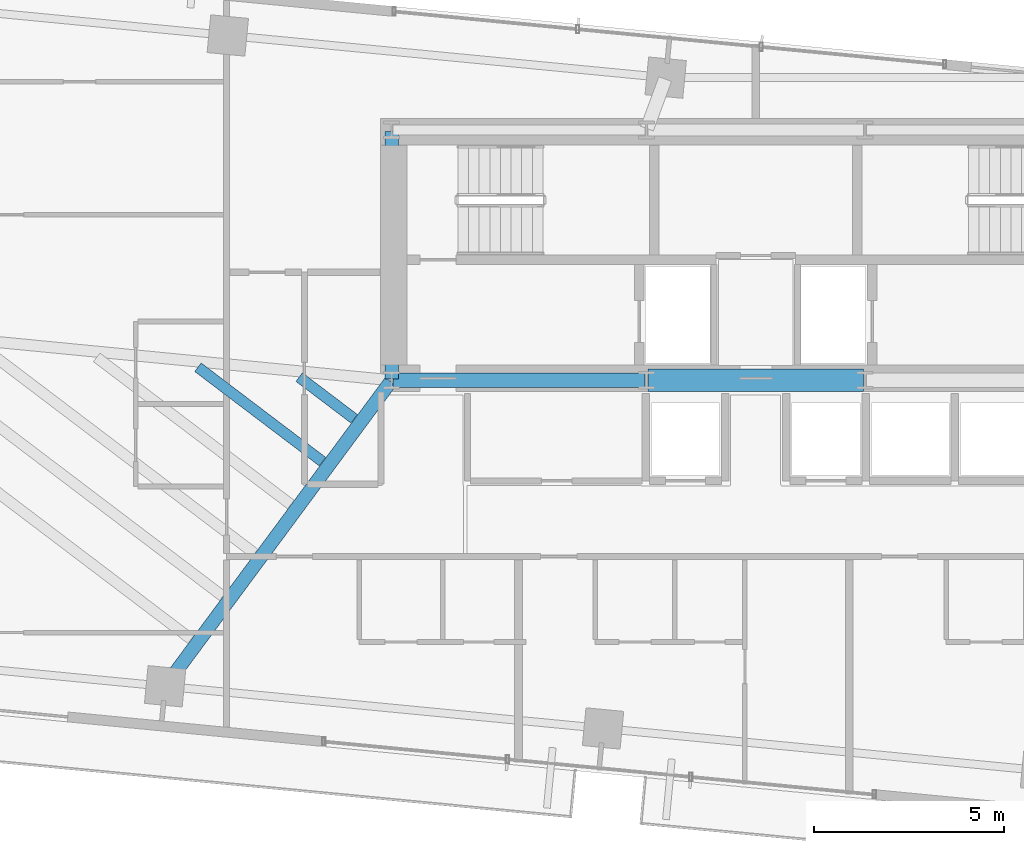
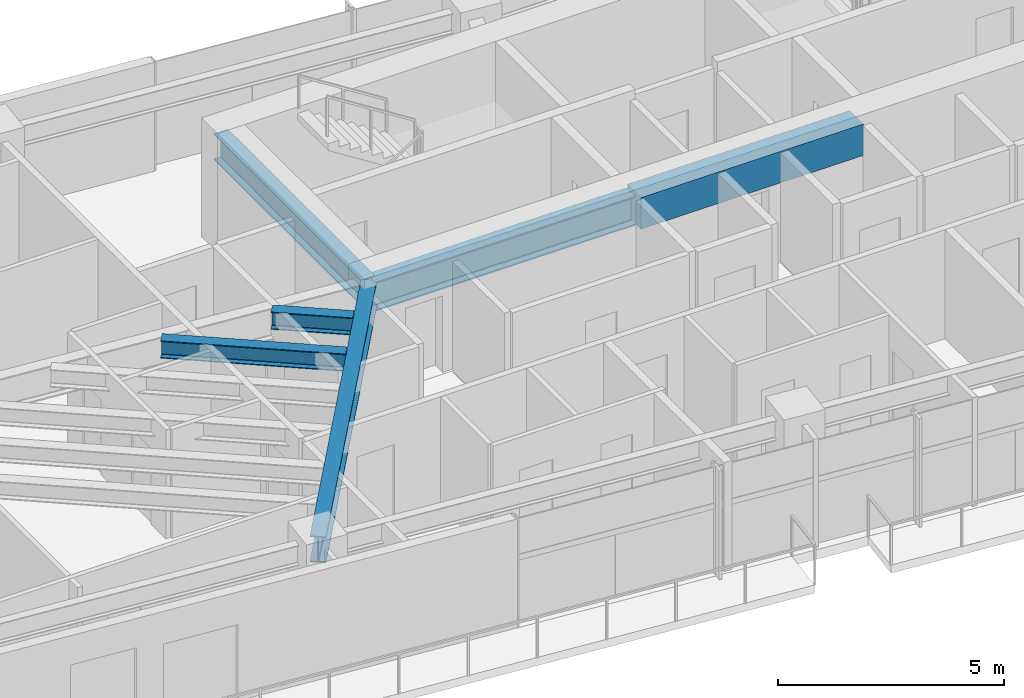
# One storey, part 5 of 19: 6 beams.
"""IFC4 building model written with IfcOpenShell, lengths in metres."""

from ifc_helpers import new_model, si_unit, direction, frame, origin, origin_2d, place, context, subcontext, project, spatial, rectangle, i_section, extrude, source, transform, mapped, material, material_profile, profile_set, type_object, type_shapes, element, save


model = new_model("IFC4")

# Units and contexts
model_context = context("Model", 3, precision=1e-05, world=origin(), true_north=direction((0.0, 1.0)))
body_context = subcontext(model_context, "Body", "Model", "MODEL_VIEW")
ifc_project = project(units=[si_unit("LENGTHUNIT", "METRE"), si_unit("AREAUNIT", "SQUARE_METRE"), si_unit("VOLUMEUNIT", "CUBIC_METRE"), si_unit("PLANEANGLEUNIT", "RADIAN"), si_unit("MASSUNIT", "GRAM", prefix="KILO")], contexts=[model_context])

# Site, building, storey
site_placement = place(None, origin())
site = spatial("IfcSite", under=ifc_project, at=site_placement, CompositionType="ELEMENT")
building_placement = place(site_placement, origin())
building = spatial("IfcBuilding", under=site, at=building_placement, Name="Astriad Promenade Condominiums", CompositionType="ELEMENT")
storey_placement = place(building_placement, frame((0.0, 0.0, 147.0)))
storey = spatial("IfcBuildingStorey", under=building, at=storey_placement, Name="L42", CompositionType="ELEMENT", Elevation=147.0)

# Beams
ifc_material_1 = material(Name="Steel ASTM A992 Grade 50", Category="steel")
ifc_material_profile_1 = material_profile(ifc_material_1, i_section(OverallWidth=0.3837890625, OverallDepth=0.785888671875, WebThickness=0.019775390625, FlangeThickness=0.033447265625, FilletRadius=0.021484375, at=origin_2d()), Name="W30X211")
ifc_profile_set_1 = profile_set([ifc_material_profile_1], Name="Steel ASTM A992 Grade 50")
beam_type_1 = type_object("IfcBeamType", Name="STEEL FLOOR GIRDER W30X211", PredefinedType="BEAM", material=ifc_profile_set_1)
shared_shape_1 = source(origin(), body_context, "Body", "SweptSolid", [
    extrude(i_section(OverallWidth=0.3837890625, OverallDepth=0.785888671875, WebThickness=0.019775390625, FlangeThickness=0.033447265625, FilletRadius=0.021484375, at=origin_2d()), origin(), (0.0, 0.0, 1.0), 6.64013671875),
])
type_shapes(beam_type_1, [shared_shape_1])
beam_1_placement = place(storey_placement, frame((26.43994140625, 17.39990234375, 2.547119140625), z_axis=(1.0, 0.0, 0.0), x_axis=(0.0, 1.0, 0.0)))
element("IfcBeam", 1, at=beam_1_placement, inside=storey, type_object=beam_type_1, Name="Core Ring Beam CG-S1-L42", PredefinedType="BEAM", context=body_context, shape_type="MappedRepresentation", body=[
    mapped(shared_shape_1, transform((0.0, 0.0, 0.0), scale=1.0)),
])
ifc_material_profile_2 = material_profile(ifc_material_1, i_section(OverallWidth=0.35791015625, OverallDepth=0.706298828125, WebThickness=0.018310546875, FlangeThickness=0.0302734375, FilletRadius=0.020263671875, at=origin_2d()), Name="W27X178")
ifc_profile_set_2 = profile_set([ifc_material_profile_2], Name="Steel ASTM A992 Grade 50")
beam_type_2 = type_object("IfcBeamType", Name="STEEL FLOOR GIRDER W27X178", PredefinedType="BEAM", material=ifc_profile_set_2)
shared_shape_2 = source(origin(), body_context, "Body", "SweptSolid", [
    extrude(i_section(OverallWidth=0.35791015625, OverallDepth=0.706298828125, WebThickness=0.018310546875, FlangeThickness=0.0302734375, FilletRadius=0.020263671875, at=origin_2d()), origin(), (0.0, 0.0, 1.0), 6.52001953125),
])
beam_2_placement = place(storey_placement, frame((26.39990234375, 17.43994140625, 2.5869140625), z_axis=(0.0, 1.0, 0.0), x_axis=(-1.0, 0.0, 0.0)))
element("IfcBeam", 2, at=beam_2_placement, inside=storey, type_object=beam_type_2, Name="Core Ring Beam CG-W1-L42", PredefinedType="BEAM", context=body_context, shape_type="MappedRepresentation", body=[
    mapped(shared_shape_2, transform((0.0, 0.0, 0.0), scale=1.0)),
])
shared_shape_3 = source(origin(), body_context, "Body", "SweptSolid", [
    extrude(i_section(OverallWidth=0.35791015625, OverallDepth=0.706298828125, WebThickness=0.018310546875, FlangeThickness=0.0302734375, FilletRadius=0.020263671875, at=origin_2d()), origin(), (0.0, 0.0, 1.0), 9.958984375),
])
type_shapes(beam_type_2, [shared_shape_2, shared_shape_3])
beam_3_placement = place(storey_placement, frame((20.450927734375, 9.363525390625, 2.5869140625), z_axis=(0.59497542442, 0.803743892255, 0.0), x_axis=(-0.803743892255, 0.59497542442, 0.0)))
element("IfcBeam", 3, at=beam_3_placement, inside=storey, type_object=beam_type_2, Name="Primary Floor Girder PG-W2-L42", PredefinedType="BEAM", context=body_context, shape_type="MappedRepresentation", body=[
    mapped(shared_shape_3, transform((0.0, 0.0, 0.0), scale=1.0)),
])
ifc_material_2 = material(Name="Concrete C60/75", Category="concrete")
ifc_material_profile_3 = material_profile(ifc_material_2, rectangle(XDim=0.60009765625, YDim=0.85009765625, at=origin_2d()), Name="RC-BM-600X850")
ifc_profile_set_3 = profile_set([ifc_material_profile_3], Name="Concrete C60/75")
beam_type_3 = type_object("IfcBeamType", Name="CONCRETE CORE COUPLING LINTEL 600X850", PredefinedType="LINTEL", material=ifc_profile_set_3)
shared_shape_4 = source(origin(), body_context, "Body", "SweptSolid", [
    extrude(rectangle(XDim=0.60009765625, YDim=0.85009765625, at=origin_2d()), origin(), (0.0, 0.0, 1.0), 5.68017578125),
])
type_shapes(beam_type_3, [shared_shape_4])
beam_4_placement = place(storey_placement, frame((33.159912109375, 17.39990234375, 2.514892578125), z_axis=(1.0, 0.0, 0.0), x_axis=(0.0, 1.0, 0.0)))
element("IfcBeam", 4, at=beam_4_placement, inside=storey, type_object=beam_type_3, Name="Core Ring Beam CG-S2-L42", PredefinedType="LINTEL", context=body_context, shape_type="MappedRepresentation", body=[
    mapped(shared_shape_4, transform((0.0, 0.0, 0.0), scale=1.0)),
])
ifc_material_profile_4 = material_profile(ifc_material_1, i_section(OverallWidth=0.283203125, OverallDepth=0.47216796875, WebThickness=0.013671875, FlangeThickness=0.022216796875, FilletRadius=0.01513671875, at=origin_2d()), Name="W18X97")
ifc_profile_set_4 = profile_set([ifc_material_profile_4], Name="Steel ASTM A992 Grade 50")
beam_type_4 = type_object("IfcBeamType", Name="STEEL FLOOR JOIST W18X97", PredefinedType="JOIST", material=ifc_profile_set_4)
shared_shape_5 = source(origin(), body_context, "Body", "SweptSolid", [
    extrude(i_section(OverallWidth=0.283203125, OverallDepth=0.47216796875, WebThickness=0.013671875, FlangeThickness=0.022216796875, FilletRadius=0.01513671875, at=origin_2d()), origin(), (0.0, 0.0, 1.0), 4.12109375),
])
beam_5_placement = place(storey_placement, frame((21.292724609375, 17.744140625, 2.703857421875), z_axis=(0.796968568798, -0.604020778077, 0.0), x_axis=(0.604020778077, 0.796968568798, 0.0)))
element("IfcBeam", 5, at=beam_5_placement, inside=storey, type_object=beam_type_4, Name="Secondary Composite Floor Joist JW1-5-L42", PredefinedType="JOIST", context=body_context, shape_type="MappedRepresentation", body=[
    mapped(shared_shape_5, transform((0.0, 0.0, 0.0), scale=1.0)),
])
shared_shape_6 = source(origin(), body_context, "Body", "SweptSolid", [
    extrude(i_section(OverallWidth=0.283203125, OverallDepth=0.47216796875, WebThickness=0.013671875, FlangeThickness=0.022216796875, FilletRadius=0.01513671875, at=origin_2d()), origin(), (0.0, 0.0, 1.0), 1.82177734375),
])
type_shapes(beam_type_4, [shared_shape_5, shared_shape_6])
beam_6_placement = place(storey_placement, frame((23.96142578125, 17.48486328125, 2.703857421875), z_axis=(0.796982671853, -0.604002169504, 0.0), x_axis=(0.604002169504, 0.796982671853, 0.0)))
element("IfcBeam", 6, at=beam_6_placement, inside=storey, type_object=beam_type_4, Name="Secondary Composite Floor Joist JW1-6-L42", PredefinedType="JOIST", context=body_context, shape_type="MappedRepresentation", body=[
    mapped(shared_shape_6, transform((0.0, 0.0, 0.0), scale=1.0)),
])

save(model, "model.ifc")
